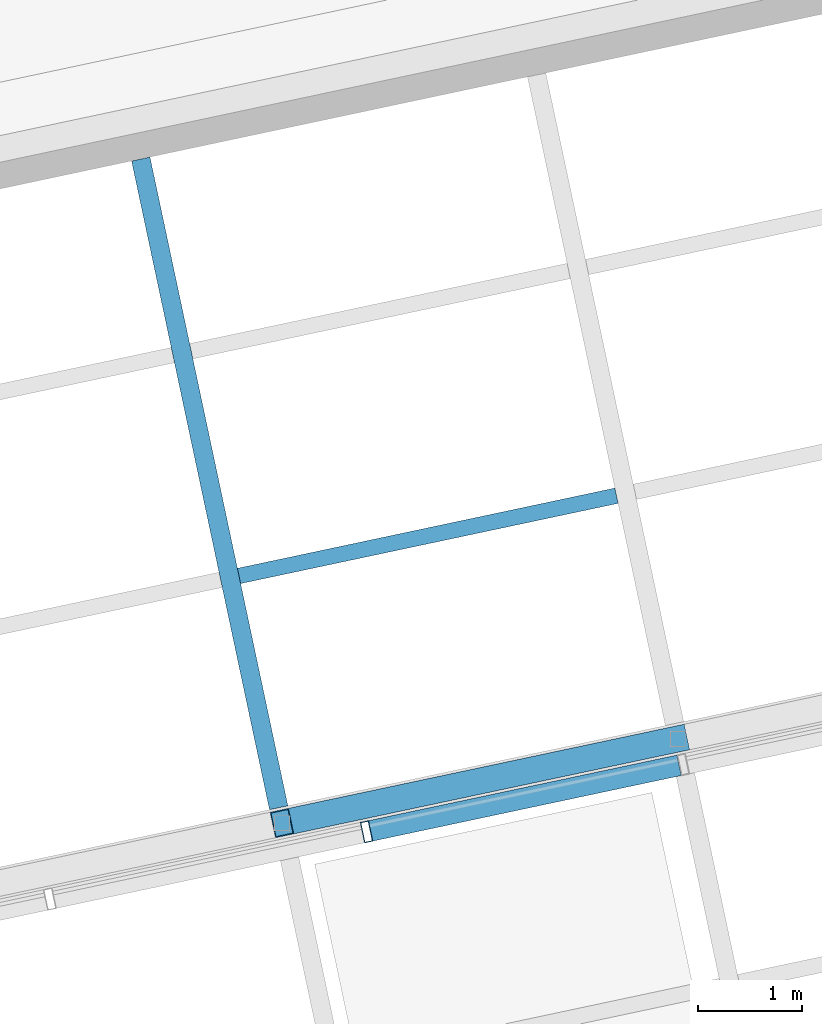
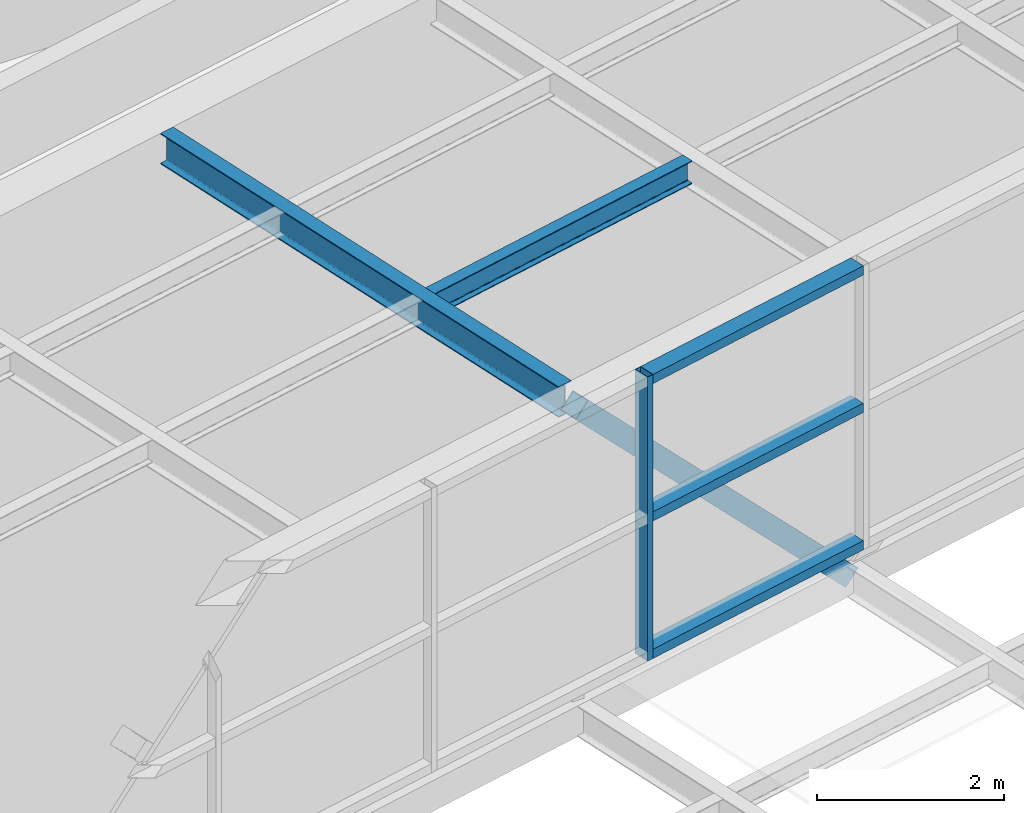
# One storey, part 46 of 72: 6 members, 1 beam, 1 element without a shape of its own.
"""IFC4 building model written with IfcOpenShell, lengths in metres."""

from ifc_helpers import new_model, si_unit, direction, frame, origin, origin_2d, place, context, subcontext, project, spatial, hollow_rectangle, i_section, extrude, material, layer, layer_set, material_profile, profile_set, type_object, element, aggregate, save


model = new_model("IFC4")

# Units and contexts
model_context = context("Model", 3, precision=1e-05, world=origin(), true_north=direction((0.0, 1.0)))
body_context = subcontext(model_context, "Body", "Model", "MODEL_VIEW")
ifc_project = project(units=[si_unit("LENGTHUNIT", "METRE"), si_unit("AREAUNIT", "SQUARE_METRE"), si_unit("VOLUMEUNIT", "CUBIC_METRE"), si_unit("PLANEANGLEUNIT", "RADIAN"), si_unit("MASSUNIT", "GRAM", prefix="KILO")], contexts=[model_context])

# Site, building, storey
site_placement = place(None, origin())
site = spatial("IfcSite", under=ifc_project, at=site_placement, CompositionType="ELEMENT")
building_placement = place(site_placement, origin())
building = spatial("IfcBuilding", under=site, at=building_placement, Name="Nzadi Deep Aquarium and Research Tower", CompositionType="ELEMENT")
storey_placement = place(building_placement, frame((0.0, 0.0, 31.89990234375)))
storey = spatial("IfcBuildingStorey", under=building, at=storey_placement, Name="L05", CompositionType="ELEMENT", Elevation=31.89990234375)

# Member
ifc_material_1 = material(Name="Steel S355", Category="steel")
ifc_material_profile_1 = material_profile(ifc_material_1, i_section(OverallWidth=0.14990234375, OverallDepth=0.300048828125, WebThickness=0.007080078125, FlangeThickness=0.0107421875, FilletRadius=0.014892578125, at=origin_2d()))
ifc_profile_set_1 = profile_set([ifc_material_profile_1], Name="Steel S355")
member_type_1 = type_object("IfcMemberType", Name="IPE 300", PredefinedType="PURLIN", material=ifc_profile_set_1)
member_1_placement = place(storey_placement, frame((24.5986328125, 114.760498046875, 8.650146484375), z_axis=(0.978143399265, 0.207931456193, 0.0), x_axis=(-0.207931456193, 0.978143399265, 0.0)))
element("IfcMember", 1, at=member_1_placement, inside=storey, type_object=member_type_1, Name="MB-BL-ROOF-NPU1-3", PredefinedType="PURLIN", context=body_context, shape_type="SweptSolid", body=[
    extrude(i_section(OverallWidth=0.14990234375, OverallDepth=0.300048828125, WebThickness=0.007080078125, FlangeThickness=0.0107421875, FilletRadius=0.014892578125, at=origin_2d()), origin(), (0.0, 0.0, 1.0), 3.695068359375),
])

# Beam
ifc_material_2 = material(Name="Steel S355", Category="steel")
ifc_material_profile_2 = material_profile(ifc_material_2, i_section(OverallWidth=0.179931640625, OverallDepth=0.39990234375, WebThickness=0.008544921875, FlangeThickness=0.013427734375, FilletRadius=0.02099609375, at=origin_2d()))
ifc_profile_set_2 = profile_set([ifc_material_profile_2], Name="Steel S355")
beam_type = type_object("IfcBeamType", Name="IPE 400", PredefinedType="BEAM", material=ifc_profile_set_2)
beam_placement = place(storey_placement, frame((24.978515625, 112.541015625, 8.60009765625), z_axis=(-0.207924511115, 0.978144875608, 0.0), x_axis=(-0.978144875608, -0.207924511115, 0.0)))
element("IfcBeam", 2, at=beam_placement, inside=storey, type_object=beam_type, Name="B-BL-ROOF-H3", PredefinedType="BEAM", context=body_context, shape_type="SweptSolid", body=[
    extrude(i_section(OverallWidth=0.179931640625, OverallDepth=0.39990234375, WebThickness=0.008544921875, FlangeThickness=0.013427734375, FilletRadius=0.02099609375, at=origin_2d()), origin(), (0.0, 0.0, 1.0), 6.349853515625),
])

# Curtain wall, member
ifc_material_3 = material(Name="Aluminium glazing frame tall", Category="aluminium")
ifc_layer = layer(ifc_material_3, 0.199951171875)
ifc_layer_set = layer_set([ifc_layer], Name="Aluminium glazing frame tall")
curtain_wall_type = type_object("IfcCurtainWallType", Name="Curtain wall Clerestory Tall 200", PredefinedType="NOTDEFINED", material=ifc_layer_set)
curtain_wall_placement = place(storey_placement, origin())
curtain_wall = element("IfcCurtainWall", 3, at=curtain_wall_placement, inside=storey, type_object=curtain_wall_type, Name="Reef blade clerestory glazing", PredefinedType="NOTDEFINED")
ifc_material_4 = material(Name="Aluminium glazing frame tall", Category="aluminium")
ifc_material_profile_3 = material_profile(ifc_material_4, hollow_rectangle(XDim=0.199951171875, YDim=0.080078125, WallThickness=0.0048828125, at=origin_2d()))
ifc_profile_set_3 = profile_set([ifc_material_profile_3], Name="Aluminium glazing frame tall")
member_type_2 = type_object("IfcMemberType", Name="Mullion 80x200 Clerestory Tall", PredefinedType="MULLION", material=ifc_profile_set_3)
member_2_placement = place(storey_placement, frame((25.81982421875, 112.31103515625, 5.10009765625), z_axis=(0.0, 0.0, 1.0), x_axis=(-0.207911690818, 0.978147600734, 0.0)))
member_2 = element("IfcMember", 4, at=member_2_placement, type_object=member_type_2, Name="CW258 mullion 5", PredefinedType="MULLION", context=body_context, shape_type="SweptSolid", body=[
    extrude(hollow_rectangle(XDim=0.199951171875, YDim=0.080078125, WallThickness=0.0048828125, at=origin_2d()), origin(), (0.0, 0.0, 1.0), 3.699951171875),
])

# Member
ifc_material_5 = material(Name="Steel S355", Category="steel")
ifc_material_profile_4 = material_profile(ifc_material_5, hollow_rectangle(XDim=0.25, YDim=0.25, WallThickness=0.010009765625, at=origin_2d()))
ifc_profile_set_4 = profile_set([ifc_material_profile_4], Name="Steel S355")
member_type_3 = type_object("IfcMemberType", Name="RHS 250x250x10 brace", PredefinedType="BRACE", material=ifc_profile_set_4)
member_3_placement = place(storey_placement, frame((25.009765625, 112.394287109375, 8.60009765625), z_axis=(0.680586575277, 0.14466574547, -0.718243507204), x_axis=(-0.207915270313, 0.978146839882, 0.0)))
element("IfcMember", 5, at=member_3_placement, inside=storey, type_object=member_type_3, Name="MB-BL-STEP-D4", PredefinedType="BRACE", context=body_context, shape_type="SweptSolid", body=[
    extrude(hollow_rectangle(XDim=0.25, YDim=0.25, WallThickness=0.010009765625, at=origin_2d()), origin(), (0.0, 0.0, 1.0), 5.569091796875),
])

ifc_material_6 = material(Name="Aluminium glazing frame tall", Category="aluminium")
ifc_material_profile_5 = material_profile(ifc_material_6, hollow_rectangle(XDim=0.199951171875, YDim=0.1201171875, WallThickness=0.0048828125, at=origin_2d()))
ifc_profile_set_5 = profile_set([ifc_material_profile_5], Name="Aluminium glazing frame tall")
member_type_4 = type_object("IfcMemberType", Name="Transom 120x200 Clerestory Tall", PredefinedType="MULLION", material=ifc_profile_set_5)
member_4_placement = place(storey_placement, frame((25.85888671875, 112.3193359375, 5.16015625), z_axis=(0.978143027179, 0.207933206538, 0.0), x_axis=(-0.207933206538, 0.978143027179, 0.0)))
member_4 = element("IfcMember", 6, at=member_4_placement, type_object=member_type_4, Name="CW258 transom 5.1", PredefinedType="MULLION", context=body_context, shape_type="SweptSolid", body=[
    extrude(hollow_rectangle(XDim=0.199951171875, YDim=0.1201171875, WallThickness=0.0048828125, at=origin_2d()), origin(), (0.0, 0.0, 1.0), 3.019775390625),
])

member_5_placement = place(storey_placement, frame((25.85888671875, 112.3193359375, 6.9501953125), z_axis=(0.978143027179, 0.207933206538, 0.0), x_axis=(-0.207933206538, 0.978143027179, 0.0)))
member_5 = element("IfcMember", 7, at=member_5_placement, type_object=member_type_4, Name="CW258 transom 5.2", PredefinedType="MULLION", context=body_context, shape_type="SweptSolid", body=[
    extrude(hollow_rectangle(XDim=0.199951171875, YDim=0.1201171875, WallThickness=0.0048828125, at=origin_2d()), origin(), (0.0, 0.0, 1.0), 3.019775390625),
])

member_6_placement = place(storey_placement, frame((25.85888671875, 112.3193359375, 8.739990234375), z_axis=(0.978143027179, 0.207933206538, 0.0), x_axis=(-0.207933206538, 0.978143027179, 0.0)))
member_6 = element("IfcMember", 8, at=member_6_placement, type_object=member_type_4, Name="CW258 transom 5.3", PredefinedType="MULLION", context=body_context, shape_type="SweptSolid", body=[
    extrude(hollow_rectangle(XDim=0.199951171875, YDim=0.1201171875, WallThickness=0.0048828125, at=origin_2d()), origin(), (0.0, 0.0, 1.0), 3.019775390625),
])

aggregate(curtain_wall, [member_2, member_4, member_5, member_6])

save(model, "model.ifc")
